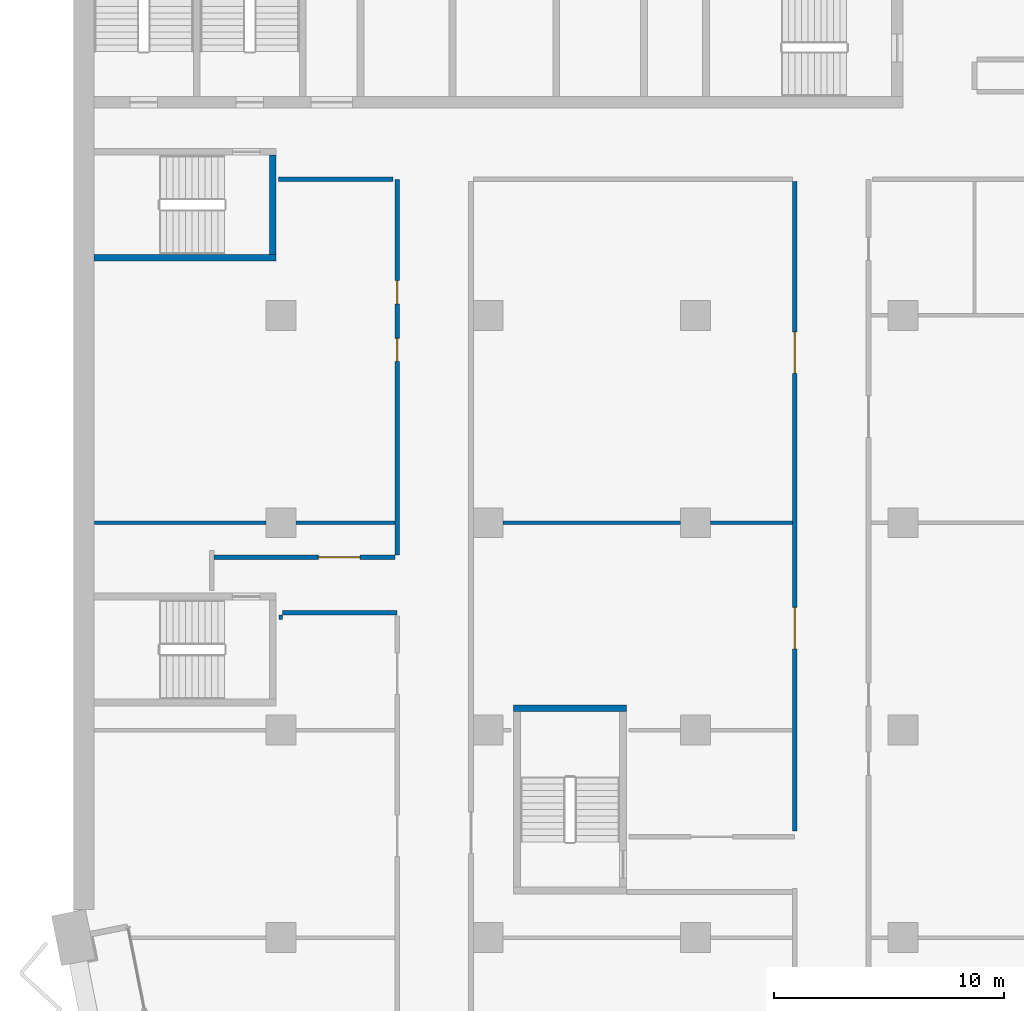
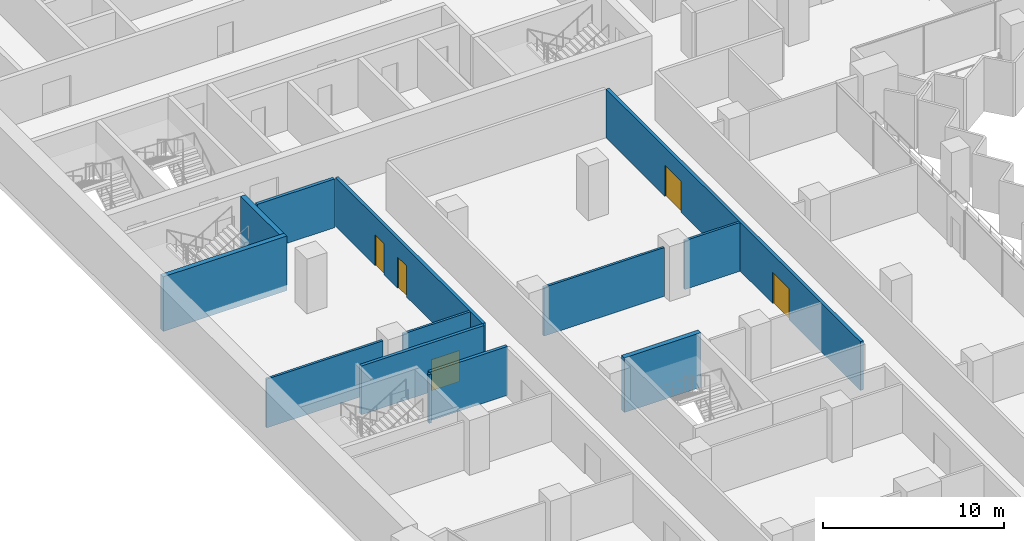
# One storey, part 10 of 23: 13 walls, 5 doors, 5 openings.
"""IFC4 building model written with IfcOpenShell, lengths in metres."""

from ifc_helpers import new_model, si_unit, direction, frame, frame_2d, origin, place, context, subcontext, project, spatial, rectangle, extrude, material, layer, layer_set, type_object, element, fill, save


model = new_model("IFC4")

# Units and contexts
model_context = context("Model", 3, precision=1e-05, world=origin(), true_north=direction((0.0, 1.0)))
body_context = subcontext(model_context, "Body", "Model", "MODEL_VIEW")
ifc_project = project(units=[si_unit("LENGTHUNIT", "METRE"), si_unit("AREAUNIT", "SQUARE_METRE"), si_unit("VOLUMEUNIT", "CUBIC_METRE"), si_unit("PLANEANGLEUNIT", "RADIAN"), si_unit("MASSUNIT", "GRAM", prefix="KILO")], contexts=[model_context])

# Site, building, storey
site_placement = place(None, origin())
site = spatial("IfcSite", under=ifc_project, at=site_placement, CompositionType="ELEMENT")
building_placement = place(site_placement, origin())
building = spatial("IfcBuilding", under=site, at=building_placement, Name="Hunhe Ridgeline Campus", CompositionType="ELEMENT")
storey_placement = place(building_placement, frame((0.0, 0.0, 110.699951171875)))
storey = spatial("IfcBuildingStorey", under=building, at=storey_placement, Name="L27", CompositionType="ELEMENT", Elevation=110.699951171875)

# Wall
ifc_material_1 = material(Name="Gypsum board partition")
ifc_layer_1 = layer(ifc_material_1, 0.199951171875)
ifc_layer_set_1 = layer_set([ifc_layer_1], Name="Corridor partition 200 gypsum board on steel studs")
wall_type_1 = type_object("IfcWallType", Name="Corridor partition 200 gypsum board on steel studs", PredefinedType="PARTITIONING", material=ifc_layer_set_1)
wall_1_placement = place(storey_placement, frame((14.050048828125, 41.10009765625, 0.0), z_axis=(0.0, 0.0, 1.0), x_axis=(-1.0, 0.0, 0.0)))
element("IfcWall", 1, at=wall_1_placement, inside=storey, type_object=wall_type_1, Name="F-L27-wall-018", PredefinedType="PARTITIONING", context=body_context, shape_type="SweptSolid", body=[
    extrude(rectangle(XDim=4.97509765625, YDim=0.199951171875, at=frame_2d((2.487548828125, 0.0))), origin(), (0.0, 0.0, 1.0), 3.300048828125),
])

# Wall, opening, door
wall_2_placement = place(storey_placement, frame((6.10009765625, 43.5, 0.0), z_axis=(0.0, 0.0, 1.0), x_axis=(1.0, 0.0, 0.0)))
wall_2 = element("IfcWall", 2, at=wall_2_placement, inside=storey, type_object=wall_type_1, Name="F-L27-wall-019", PredefinedType="PARTITIONING", context=body_context, shape_type="SweptSolid", body=[
    extrude(rectangle(XDim=7.849853515625, YDim=0.199951171875, at=frame_2d((3.9248046875, 0.0))), origin(), (0.0, 0.0, 1.0), 3.300048828125),
])
opening_1_placement = place(wall_2_placement, frame((4.52490234375, 0.0, 0.0)))
opening_1 = element("IfcOpeningElement", 3, at=opening_1_placement, cuts=wall_2, Name="Opening RD2-013", PredefinedType="OPENING", context=body_context, shape_type="SweptSolid", body=[
    extrude(rectangle(XDim=1.800048828125, YDim=2.10009765625, at=frame_2d((0.89990234375, 1.050048828125))), frame((0.0, 0.10009765625, 0.0), z_axis=(0.0, -1.0, 0.0), x_axis=(1.0, 0.0, 0.0)), (0.0, 0.0, 1.0), 0.199951171875),
])
ifc_material_2 = material(Name="Timber door leaf", Category="wood")
door_type_1 = type_object("IfcDoorType", Name="Double fire door 1800x2100 timber FD60", OperationType="DOUBLE_DOOR_SINGLE_SWING", PredefinedType="DOOR", material=ifc_material_2)
door_1_placement = place(opening_1_placement, origin())
door_1 = element("IfcDoor", 4, at=door_1_placement, inside=storey, type_object=door_type_1, Name="F-L27-door-013", OperationType="DOUBLE_DOOR_SINGLE_SWING", OverallHeight=2.10009765625, OverallWidth=1.800048828125, PredefinedType="DOOR", context=body_context, shape_type="SweptSolid", body=[
    extrude(rectangle(XDim=1.800048828125, YDim=2.10009765625, at=frame_2d((0.89990234375, 1.050048828125))), frame((0.0, 0.02490234375, 0.0), z_axis=(0.0, -1.0, 0.0), x_axis=(1.0, 0.0, 0.0)), (0.0, 0.0, 1.0), 0.050048828125),
])
fill(opening_1, door_1)

# Wall
wall_3_placement = place(storey_placement, frame((13.859375, 59.89990234375, 0.0), z_axis=(0.0, 0.0, 1.0), x_axis=(-1.0, 0.0, 0.0)))
element("IfcWall", 5, at=wall_3_placement, inside=storey, type_object=wall_type_1, Name="F-L27-wall-028", PredefinedType="PARTITIONING", context=body_context, shape_type="SweptSolid", body=[
    extrude(rectangle(XDim=4.955322265625, YDim=0.199951171875, at=frame_2d((2.4775390625, 0.0))), origin(), (0.0, 0.0, 1.0), 3.300048828125),
])

# Wall, openings, doors
wall_4_placement = place(storey_placement, frame((14.050048828125, 43.60009765625, 0.0), z_axis=(0.0, 0.0, 1.0), x_axis=(0.0, 1.0, 0.0)))
wall_4 = element("IfcWall", 6, at=wall_4_placement, inside=storey, type_object=wall_type_1, Name="F-L27-wall-042", PredefinedType="PARTITIONING", context=body_context, shape_type="SweptSolid", body=[
    extrude(rectangle(XDim=16.2998046875, YDim=0.199951171875, at=frame_2d((8.14990234375, 0.0))), origin(), (0.0, 0.0, 1.0), 3.300048828125),
])
opening_2_placement = place(wall_4_placement, frame((8.40234375, 0.0, 0.0)))
opening_2 = element("IfcOpeningElement", 7, at=opening_2_placement, cuts=wall_4, Name="Opening RD1-016", PredefinedType="OPENING", context=body_context, shape_type="SweptSolid", body=[
    extrude(rectangle(XDim=1.0, YDim=2.10009765625, at=frame_2d((0.5, 1.050048828125))), frame((0.0, 0.10009765625, 0.0), z_axis=(0.0, -1.0, 0.0), x_axis=(1.0, 0.0, 0.0)), (0.0, 0.0, 1.0), 0.199951171875),
])
opening_3_placement = place(wall_4_placement, frame((10.90234375, 0.0, 0.0)))
opening_3 = element("IfcOpeningElement", 8, at=opening_3_placement, cuts=wall_4, Name="Opening RD1-017", PredefinedType="OPENING", context=body_context, shape_type="SweptSolid", body=[
    extrude(rectangle(XDim=1.0, YDim=2.10009765625, at=frame_2d((0.5, 1.050048828125))), frame((0.0, 0.10009765625, 0.0), z_axis=(0.0, -1.0, 0.0), x_axis=(1.0, 0.0, 0.0)), (0.0, 0.0, 1.0), 0.199951171875),
])
door_type_2 = type_object("IfcDoorType", Name="Single fire door 1000x2100 timber FD60", OperationType="NOTDEFINED", PredefinedType="DOOR", material=ifc_material_2)
door_2_placement = place(opening_2_placement, frame((1.0, 0.0, 0.0), z_axis=(0.0, 0.0, 1.0), x_axis=(-1.0, 0.0, 0.0)))
door_2 = element("IfcDoor", 9, at=door_2_placement, inside=storey, type_object=door_type_2, Name="F-L27-door-016", OperationType="SINGLE_SWING_LEFT", OverallHeight=2.10009765625, OverallWidth=1.0, PredefinedType="DOOR", context=body_context, shape_type="SweptSolid", body=[
    extrude(rectangle(XDim=1.0, YDim=2.10009765625, at=frame_2d((0.5, 1.050048828125))), frame((0.0, 0.02490234375, 0.0), z_axis=(0.0, -1.0, 0.0), x_axis=(1.0, 0.0, 0.0)), (0.0, 0.0, 1.0), 0.050048828125),
])
fill(opening_2, door_2)
door_3_placement = place(opening_3_placement, frame((1.0, 0.0, 0.0), z_axis=(0.0, 0.0, 1.0), x_axis=(-1.0, 0.0, 0.0)))
door_3 = element("IfcDoor", 10, at=door_3_placement, inside=storey, type_object=door_type_2, Name="F-L27-door-017", OperationType="SINGLE_SWING_LEFT", OverallHeight=2.10009765625, OverallWidth=1.0, PredefinedType="DOOR", context=body_context, shape_type="SweptSolid", body=[
    extrude(rectangle(XDim=1.0, YDim=2.10009765625, at=frame_2d((0.5, 1.050048828125))), frame((0.0, 0.02490234375, 0.0), z_axis=(0.0, -1.0, 0.0), x_axis=(1.0, 0.0, 0.0)), (0.0, 0.0, 1.0), 0.050048828125),
])
fill(opening_3, door_3)

wall_5_placement = place(storey_placement, frame((31.300048828125, 31.619140625, 0.0), z_axis=(0.0, 0.0, 1.0), x_axis=(0.0, 1.0, 0.0)))
wall_5 = element("IfcWall", 11, at=wall_5_placement, inside=storey, type_object=wall_type_1, Name="F-L27-wall-045", PredefinedType="PARTITIONING", context=body_context, shape_type="SweptSolid", body=[
    extrude(rectangle(XDim=28.180908203125, YDim=0.199951171875, at=frame_2d((14.09033203125, 0.0))), origin(), (0.0, 0.0, 1.0), 3.300048828125),
])
opening_4_placement = place(wall_5_placement, frame((7.906494140625, 0.0, 0.0)))
opening_4 = element("IfcOpeningElement", 12, at=opening_4_placement, cuts=wall_5, Name="Opening RD2-012", PredefinedType="OPENING", context=body_context, shape_type="SweptSolid", body=[
    extrude(rectangle(XDim=1.800048828125, YDim=2.10009765625, at=frame_2d((0.89990234375, 1.050048828125))), frame((0.0, 0.10009765625, 0.0), z_axis=(0.0, -1.0, 0.0), x_axis=(1.0, 0.0, 0.0)), (0.0, 0.0, 1.0), 0.199951171875),
])
opening_5_placement = place(wall_5_placement, frame((19.8583984375, 0.0, 0.0)))
opening_5 = element("IfcOpeningElement", 13, at=opening_5_placement, cuts=wall_5, Name="Opening RD2-015", PredefinedType="OPENING", context=body_context, shape_type="SweptSolid", body=[
    extrude(rectangle(XDim=1.800048828125, YDim=2.10009765625, at=frame_2d((0.89990234375, 1.050048828125))), frame((0.0, 0.10009765625, 0.0), z_axis=(0.0, -1.0, 0.0), x_axis=(1.0, 0.0, 0.0)), (0.0, 0.0, 1.0), 0.199951171875),
])
door_4_placement = place(opening_4_placement, origin())
door_4 = element("IfcDoor", 14, at=door_4_placement, inside=storey, type_object=door_type_1, Name="F-L27-door-012", OperationType="DOUBLE_DOOR_SINGLE_SWING", OverallHeight=2.10009765625, OverallWidth=1.800048828125, PredefinedType="DOOR", context=body_context, shape_type="SweptSolid", body=[
    extrude(rectangle(XDim=1.800048828125, YDim=2.10009765625, at=frame_2d((0.89990234375, 1.050048828125))), frame((0.0, 0.02490234375, 0.0), z_axis=(0.0, -1.0, 0.0), x_axis=(1.0, 0.0, 0.0)), (0.0, 0.0, 1.0), 0.050048828125),
])
fill(opening_4, door_4)
door_5_placement = place(opening_5_placement, origin())
door_5 = element("IfcDoor", 15, at=door_5_placement, inside=storey, type_object=door_type_1, Name="F-L27-door-015", OperationType="DOUBLE_DOOR_SINGLE_SWING", OverallHeight=2.10009765625, OverallWidth=1.800048828125, PredefinedType="DOOR", context=body_context, shape_type="SweptSolid", body=[
    extrude(rectangle(XDim=1.800048828125, YDim=2.10009765625, at=frame_2d((0.89990234375, 1.050048828125))), frame((0.0, 0.02490234375, 0.0), z_axis=(0.0, -1.0, 0.0), x_axis=(1.0, 0.0, 0.0)), (0.0, 0.0, 1.0), 0.050048828125),
])
fill(opening_5, door_5)

# Walls
ifc_layer_2 = layer(ifc_material_1, 0.14990234375)
ifc_layer_set_2 = layer_set([ifc_layer_2], Name="Room partition 150 gypsum board on steel studs")
wall_type_2 = type_object("IfcWallType", Name="Room partition 150 gypsum board on steel studs", PredefinedType="PARTITIONING", material=ifc_layer_set_2)
wall_6_placement = place(storey_placement, frame((0.919921875, 45.0, 0.0), z_axis=(0.0, 0.0, 1.0), x_axis=(1.0, 0.0, 0.0)))
element("IfcWall", 16, at=wall_6_placement, inside=storey, type_object=wall_type_2, Name="F-L27-wall-020", PredefinedType="PARTITIONING", context=body_context, shape_type="SweptSolid", body=[
    extrude(rectangle(XDim=7.43017578125, YDim=0.14990234375, at=frame_2d((3.715087890625, 0.0))), origin(), (0.0, 0.0, 1.0), 3.300048828125),
])
wall_7_placement = place(storey_placement, frame((9.64990234375, 45.0, 0.0), z_axis=(0.0, 0.0, 1.0), x_axis=(1.0, 0.0, 0.0)))
element("IfcWall", 17, at=wall_7_placement, inside=storey, type_object=wall_type_2, Name="F-L27-wall-021", PredefinedType="PARTITIONING", context=body_context, shape_type="SweptSolid", body=[
    extrude(rectangle(XDim=4.300048828125, YDim=0.14990234375, at=frame_2d((2.14990234375, 0.0))), origin(), (0.0, 0.0, 1.0), 3.300048828125),
])
wall_8_placement = place(storey_placement, frame((18.64990234375, 45.0, 0.0), z_axis=(0.0, 0.0, 1.0), x_axis=(1.0, 0.0, 0.0)))
element("IfcWall", 18, at=wall_8_placement, inside=storey, type_object=wall_type_2, Name="F-L27-wall-022", PredefinedType="PARTITIONING", context=body_context, shape_type="SweptSolid", body=[
    extrude(rectangle(XDim=7.7001953125, YDim=0.14990234375, at=frame_2d((3.85009765625, 0.0))), origin(), (0.0, 0.0, 1.0), 3.300048828125),
])
wall_9_placement = place(storey_placement, frame((27.64990234375, 45.0, 0.0), z_axis=(0.0, 0.0, 1.0), x_axis=(1.0, 0.0, 0.0)))
element("IfcWall", 19, at=wall_9_placement, inside=storey, type_object=wall_type_2, Name="F-L27-wall-023", PredefinedType="PARTITIONING", context=body_context, shape_type="SweptSolid", body=[
    extrude(rectangle(XDim=3.550048828125, YDim=0.14990234375, at=frame_2d((1.77490234375, 0.0))), origin(), (0.0, 0.0, 1.0), 3.300048828125),
])
wall_10_placement = place(storey_placement, frame((9.0, 41.0, 0.0), z_axis=(0.0, 0.0, 1.0), x_axis=(0.0, -1.0, 0.0)))
element("IfcWall", 20, at=wall_10_placement, inside=storey, type_object=wall_type_2, Name="F-L27-wall-040", PredefinedType="PARTITIONING", context=body_context, shape_type="SweptSolid", body=[
    extrude(rectangle(XDim=0.199951171875, YDim=0.14990234375, at=frame_2d((0.10009765625, 0.0))), origin(), (0.0, 0.0, 1.0), 3.300048828125),
])
ifc_material_3 = material(Name="Concrete C80", Category="concrete")
ifc_layer_3 = layer(ifc_material_3, 0.300048828125)
ifc_layer_set_3 = layer_set([ifc_layer_3], Name="Stair wall 300 reinforced concrete C80")
wall_type_3 = type_object("IfcWallType", Name="Stair wall 300 reinforced concrete C80", PredefinedType="SOLIDWALL", material=ifc_layer_set_3)
wall_11_placement = place(storey_placement, frame((19.10009765625, 36.949951171875, -0.39990234375), z_axis=(0.0, 0.0, 1.0), x_axis=(1.0, 0.0, 0.0)))
element("IfcWall", 21, at=wall_11_placement, inside=storey, type_object=wall_type_3, Name="L27 core wall 2", PredefinedType="SOLIDWALL", context=body_context, shape_type="SweptSolid", body=[
    extrude(rectangle(XDim=4.89990234375, YDim=0.300048828125, at=frame_2d((2.449951171875, 0.0))), origin(), (0.0, 0.0, 1.0), 3.699951171875),
])
wall_12_placement = place(storey_placement, frame((0.89990234375, 56.5, -0.39990234375), z_axis=(0.0, 0.0, 1.0), x_axis=(1.0, 0.0, 0.0)))
element("IfcWall", 22, at=wall_12_placement, inside=storey, type_object=wall_type_3, Name="L27 core wall 5", PredefinedType="SOLIDWALL", context=body_context, shape_type="SweptSolid", body=[
    extrude(rectangle(XDim=7.900146484375, YDim=0.300048828125, at=frame_2d((3.9501953125, 0.0))), origin(), (0.0, 0.0, 1.0), 3.699951171875),
])
wall_13_placement = place(storey_placement, frame((8.64990234375, 56.64990234375, -0.39990234375), z_axis=(0.0, 0.0, 1.0), x_axis=(0.0, 1.0, 0.0)))
element("IfcWall", 23, at=wall_13_placement, inside=storey, type_object=wall_type_3, Name="L27 core wall 38", PredefinedType="SOLIDWALL", context=body_context, shape_type="SweptSolid", body=[
    extrude(rectangle(XDim=4.300048828125, YDim=0.300048828125, at=frame_2d((2.14990234375, 0.0))), origin(), (0.0, 0.0, 1.0), 3.699951171875),
])

save(model, "model.ifc")
